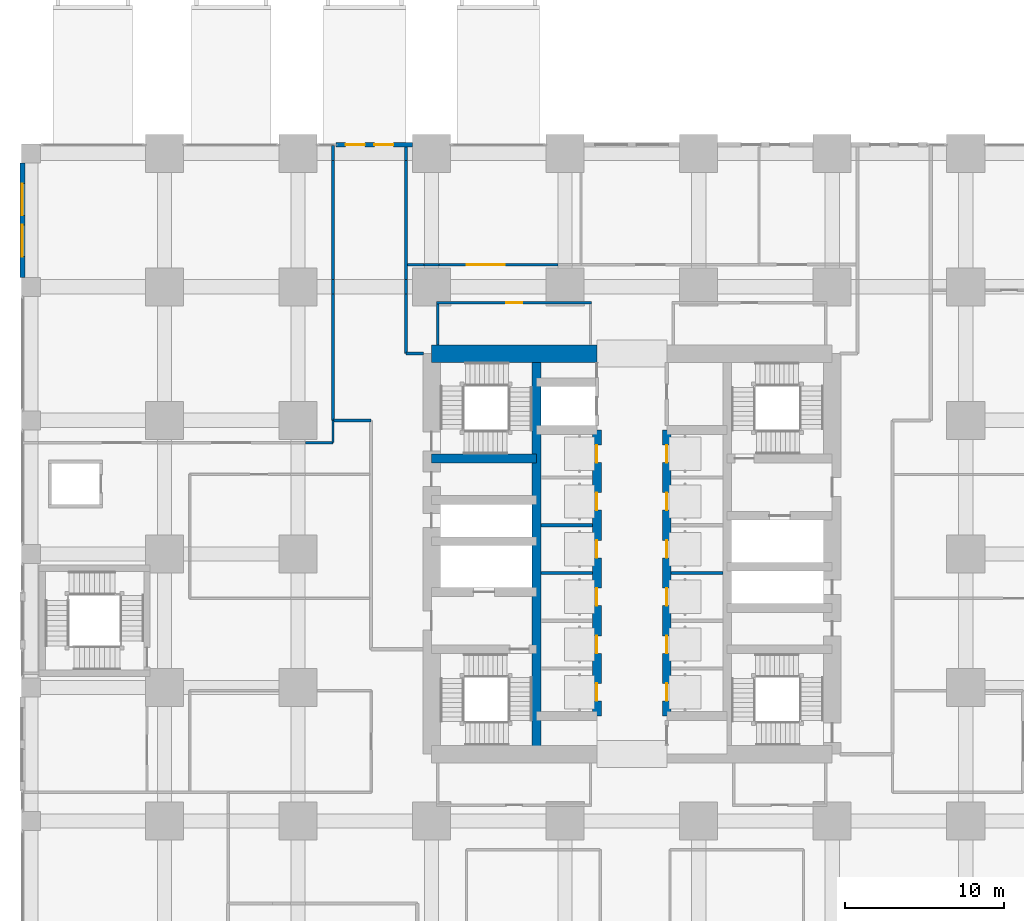
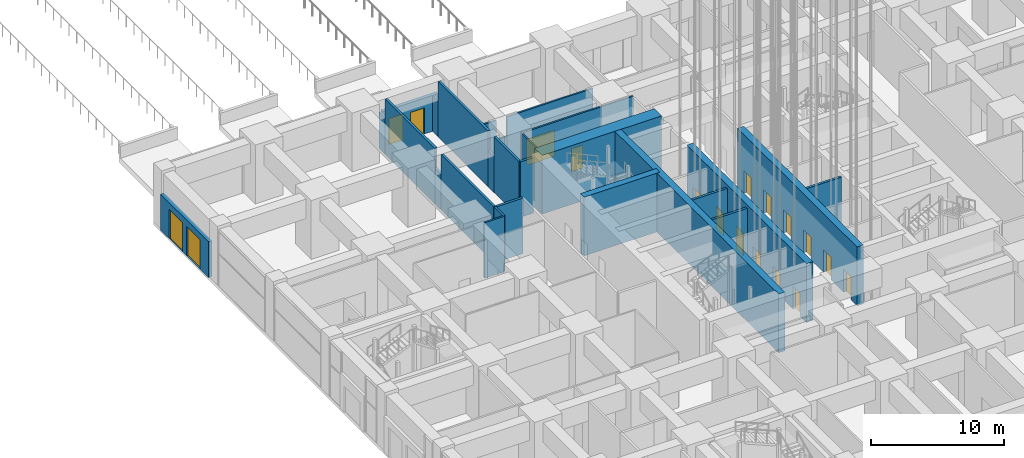
# One storey, part 40 of 81: 27 walls, 18 doors, 18 openings.
"""IFC4 building model written with IfcOpenShell, lengths in metres."""

from ifc_helpers import new_model, si_unit, direction, frame, frame_2d, origin, place, context, subcontext, project, spatial, rectangle, extrude, material, layer, layer_set, type_object, element, fill, save


model = new_model("IFC4")

# Units and contexts
model_context = context("Model", 3, precision=1e-05, world=origin(), true_north=direction((0.0, 1.0)))
body_context = subcontext(model_context, "Body", "Model", "MODEL_VIEW")
ifc_project = project(units=[si_unit("LENGTHUNIT", "METRE"), si_unit("AREAUNIT", "SQUARE_METRE"), si_unit("VOLUMEUNIT", "CUBIC_METRE"), si_unit("PLANEANGLEUNIT", "RADIAN"), si_unit("MASSUNIT", "GRAM", prefix="KILO")], contexts=[model_context])

# Site, building, storey
site_placement = place(None, origin())
site = spatial("IfcSite", under=ifc_project, at=site_placement, CompositionType="ELEMENT")
building_placement = place(site_placement, origin())
building = spatial("IfcBuilding", under=site, at=building_placement, Name="Rekha Terrace Tower", CompositionType="ELEMENT")
storey_placement = place(building_placement, origin())
storey = spatial("IfcBuildingStorey", under=building, at=storey_placement, Name="L00", CompositionType="ELEMENT", Elevation=0.0)

# Wall
ifc_material_1 = material(Name="Concrete M70", Category="concrete")
ifc_layer_1 = layer(ifc_material_1, 0.550048828125)
ifc_layer_set_1 = layer_set([ifc_layer_1], Name="Concrete M70")
wall_type_1 = type_object("IfcWallType", Name="CI1 550 core internal shear wall", PredefinedType="SHEAR", material=ifc_layer_set_1)
wall_1_placement = place(storey_placement, frame((31.800048828125, 21.0, 0.0), z_axis=(0.0, 0.0, 1.0), x_axis=(0.0, 1.0, 0.0)))
element("IfcWall", 1, at=wall_1_placement, inside=storey, type_object=wall_type_1, Name="Core wall X318 L00", PredefinedType="SHEAR", context=body_context, shape_type="SweptSolid", body=[
    extrude(rectangle(XDim=25.199951171875, YDim=0.550048828125, at=frame_2d((12.60009765625, 0.0))), origin(), (0.0, 0.0, 1.0), 5.39990234375),
])

# Wall, openings, doors
wall_2_placement = place(storey_placement, frame((35.60009765625, 23.39990234375, 0.0), z_axis=(0.0, 0.0, 1.0), x_axis=(0.0, 1.0, 0.0)))
wall_2 = element("IfcWall", 2, at=wall_2_placement, inside=storey, type_object=wall_type_1, Name="Core wall X356 L00", PredefinedType="SHEAR", context=body_context, shape_type="SweptSolid", body=[
    extrude(rectangle(XDim=18.0, YDim=0.550048828125, at=frame_2d((9.0, 0.0))), origin(), (0.0, 0.0, 1.0), 5.39990234375),
])
opening_1_placement = place(wall_2_placement, frame((0.949951171875, 0.0, 0.0)))
opening_1 = element("IfcOpeningElement", 3, at=opening_1_placement, cuts=wall_2, Name="Opening LD1", PredefinedType="OPENING", context=body_context, shape_type="SweptSolid", body=[
    extrude(rectangle(XDim=1.10009765625, YDim=2.10009765625, at=frame_2d((0.550048828125, 1.050048828125))), frame((0.0, 0.284912109375, 0.0), z_axis=(0.0, -1.0, 0.0), x_axis=(1.0, 0.0, 0.0)), (0.0, 0.0, 1.0), 0.570068359375),
])
opening_2_placement = place(wall_2_placement, frame((3.949951171875, 0.0, 0.0)))
opening_2 = element("IfcOpeningElement", 4, at=opening_2_placement, cuts=wall_2, Name="Opening LD1", PredefinedType="OPENING", context=body_context, shape_type="SweptSolid", body=[
    extrude(rectangle(XDim=1.10009765625, YDim=2.10009765625, at=frame_2d((0.550048828125, 1.050048828125))), frame((0.0, 0.284912109375, 0.0), z_axis=(0.0, -1.0, 0.0), x_axis=(1.0, 0.0, 0.0)), (0.0, 0.0, 1.0), 0.570068359375),
])
opening_3_placement = place(wall_2_placement, frame((6.949951171875, 0.0, 0.0)))
opening_3 = element("IfcOpeningElement", 5, at=opening_3_placement, cuts=wall_2, Name="Opening LD1", PredefinedType="OPENING", context=body_context, shape_type="SweptSolid", body=[
    extrude(rectangle(XDim=1.10009765625, YDim=2.10009765625, at=frame_2d((0.550048828125, 1.050048828125))), frame((0.0, 0.284912109375, 0.0), z_axis=(0.0, -1.0, 0.0), x_axis=(1.0, 0.0, 0.0)), (0.0, 0.0, 1.0), 0.570068359375),
])
opening_4_placement = place(wall_2_placement, frame((9.949951171875, 0.0, 0.0)))
opening_4 = element("IfcOpeningElement", 6, at=opening_4_placement, cuts=wall_2, Name="Opening LD1", PredefinedType="OPENING", context=body_context, shape_type="SweptSolid", body=[
    extrude(rectangle(XDim=1.10009765625, YDim=2.10009765625, at=frame_2d((0.550048828125, 1.050048828125))), frame((0.0, 0.284912109375, 0.0), z_axis=(0.0, -1.0, 0.0), x_axis=(1.0, 0.0, 0.0)), (0.0, 0.0, 1.0), 0.570068359375),
])
opening_5_placement = place(wall_2_placement, frame((12.949951171875, 0.0, 0.0)))
opening_5 = element("IfcOpeningElement", 7, at=opening_5_placement, cuts=wall_2, Name="Opening LD1", PredefinedType="OPENING", context=body_context, shape_type="SweptSolid", body=[
    extrude(rectangle(XDim=1.10009765625, YDim=2.10009765625, at=frame_2d((0.550048828125, 1.050048828125))), frame((0.0, 0.284912109375, 0.0), z_axis=(0.0, -1.0, 0.0), x_axis=(1.0, 0.0, 0.0)), (0.0, 0.0, 1.0), 0.570068359375),
])
opening_6_placement = place(wall_2_placement, frame((15.949951171875, 0.0, 0.0)))
opening_6 = element("IfcOpeningElement", 8, at=opening_6_placement, cuts=wall_2, Name="Opening LD1", PredefinedType="OPENING", context=body_context, shape_type="SweptSolid", body=[
    extrude(rectangle(XDim=1.10009765625, YDim=2.10009765625, at=frame_2d((0.550048828125, 1.050048828125))), frame((0.0, 0.284912109375, 0.0), z_axis=(0.0, -1.0, 0.0), x_axis=(1.0, 0.0, 0.0)), (0.0, 0.0, 1.0), 0.570068359375),
])
ifc_material_2 = material(Name="Stainless steel sliding landing door", Category="steel")
door_type_1 = type_object("IfcDoorType", Name="LD1 1100x2100 lift landing door", OperationType="SLIDING_TO_LEFT", PredefinedType="USERDEFINED", material=ifc_material_2)
door_1_placement = place(opening_1_placement, origin())
door_1 = element("IfcDoor", 9, at=door_1_placement, inside=storey, type_object=door_type_1, Name="Lift A1 landing door L00", ObjectType="LIFT LANDING DOOR", OperationType="SLIDING_TO_LEFT", OverallHeight=2.10009765625, OverallWidth=1.10009765625, PredefinedType="USERDEFINED", context=body_context, shape_type="SweptSolid", body=[
    extrude(rectangle(XDim=1.10009765625, YDim=2.10009765625, at=frame_2d((0.550048828125, 1.050048828125))), frame((0.0, 0.02490234375, 0.0), z_axis=(0.0, -1.0, 0.0), x_axis=(1.0, 0.0, 0.0)), (0.0, 0.0, 1.0), 0.050048828125),
])
fill(opening_1, door_1)
door_2_placement = place(opening_2_placement, origin())
door_2 = element("IfcDoor", 10, at=door_2_placement, inside=storey, type_object=door_type_1, Name="Lift A2 landing door L00", ObjectType="LIFT LANDING DOOR", OperationType="SLIDING_TO_LEFT", OverallHeight=2.10009765625, OverallWidth=1.10009765625, PredefinedType="USERDEFINED", context=body_context, shape_type="SweptSolid", body=[
    extrude(rectangle(XDim=1.10009765625, YDim=2.10009765625, at=frame_2d((0.550048828125, 1.050048828125))), frame((0.0, 0.02490234375, 0.0), z_axis=(0.0, -1.0, 0.0), x_axis=(1.0, 0.0, 0.0)), (0.0, 0.0, 1.0), 0.050048828125),
])
fill(opening_2, door_2)
door_3_placement = place(opening_3_placement, origin())
door_3 = element("IfcDoor", 11, at=door_3_placement, inside=storey, type_object=door_type_1, Name="Lift A3 landing door L00", ObjectType="LIFT LANDING DOOR", OperationType="SLIDING_TO_LEFT", OverallHeight=2.10009765625, OverallWidth=1.10009765625, PredefinedType="USERDEFINED", context=body_context, shape_type="SweptSolid", body=[
    extrude(rectangle(XDim=1.10009765625, YDim=2.10009765625, at=frame_2d((0.550048828125, 1.050048828125))), frame((0.0, 0.02490234375, 0.0), z_axis=(0.0, -1.0, 0.0), x_axis=(1.0, 0.0, 0.0)), (0.0, 0.0, 1.0), 0.050048828125),
])
fill(opening_3, door_3)
door_4_placement = place(opening_4_placement, origin())
door_4 = element("IfcDoor", 12, at=door_4_placement, inside=storey, type_object=door_type_1, Name="Lift A4 landing door L00", ObjectType="LIFT LANDING DOOR", OperationType="SLIDING_TO_LEFT", OverallHeight=2.10009765625, OverallWidth=1.10009765625, PredefinedType="USERDEFINED", context=body_context, shape_type="SweptSolid", body=[
    extrude(rectangle(XDim=1.10009765625, YDim=2.10009765625, at=frame_2d((0.550048828125, 1.050048828125))), frame((0.0, 0.02490234375, 0.0), z_axis=(0.0, -1.0, 0.0), x_axis=(1.0, 0.0, 0.0)), (0.0, 0.0, 1.0), 0.050048828125),
])
fill(opening_4, door_4)
door_5_placement = place(opening_5_placement, origin())
door_5 = element("IfcDoor", 13, at=door_5_placement, inside=storey, type_object=door_type_1, Name="Lift A5 landing door L00", ObjectType="LIFT LANDING DOOR", OperationType="SLIDING_TO_LEFT", OverallHeight=2.10009765625, OverallWidth=1.10009765625, PredefinedType="USERDEFINED", context=body_context, shape_type="SweptSolid", body=[
    extrude(rectangle(XDim=1.10009765625, YDim=2.10009765625, at=frame_2d((0.550048828125, 1.050048828125))), frame((0.0, 0.02490234375, 0.0), z_axis=(0.0, -1.0, 0.0), x_axis=(1.0, 0.0, 0.0)), (0.0, 0.0, 1.0), 0.050048828125),
])
fill(opening_5, door_5)
door_6_placement = place(opening_6_placement, origin())
door_6 = element("IfcDoor", 14, at=door_6_placement, inside=storey, type_object=door_type_1, Name="Lift A6 landing door L00", ObjectType="LIFT LANDING DOOR", OperationType="SLIDING_TO_LEFT", OverallHeight=2.10009765625, OverallWidth=1.10009765625, PredefinedType="USERDEFINED", context=body_context, shape_type="SweptSolid", body=[
    extrude(rectangle(XDim=1.10009765625, YDim=2.10009765625, at=frame_2d((0.550048828125, 1.050048828125))), frame((0.0, 0.02490234375, 0.0), z_axis=(0.0, -1.0, 0.0), x_axis=(1.0, 0.0, 0.0)), (0.0, 0.0, 1.0), 0.050048828125),
])
fill(opening_6, door_6)

wall_3_placement = place(storey_placement, frame((40.0, 23.39990234375, 0.0), z_axis=(0.0, 0.0, 1.0), x_axis=(0.0, 1.0, 0.0)))
wall_3 = element("IfcWall", 15, at=wall_3_placement, inside=storey, type_object=wall_type_1, Name="Core wall X400 L00", PredefinedType="SHEAR", context=body_context, shape_type="SweptSolid", body=[
    extrude(rectangle(XDim=18.0, YDim=0.550048828125, at=frame_2d((9.0, 0.0))), origin(), (0.0, 0.0, 1.0), 5.39990234375),
])
opening_7_placement = place(wall_3_placement, frame((0.949951171875, 0.0, 0.0)))
opening_7 = element("IfcOpeningElement", 16, at=opening_7_placement, cuts=wall_3, Name="Opening LD1", PredefinedType="OPENING", context=body_context, shape_type="SweptSolid", body=[
    extrude(rectangle(XDim=1.10009765625, YDim=2.10009765625, at=frame_2d((0.550048828125, 1.050048828125))), frame((0.0, 0.284912109375, 0.0), z_axis=(0.0, -1.0, 0.0), x_axis=(1.0, 0.0, 0.0)), (0.0, 0.0, 1.0), 0.570068359375),
])
opening_8_placement = place(wall_3_placement, frame((3.949951171875, 0.0, 0.0)))
opening_8 = element("IfcOpeningElement", 17, at=opening_8_placement, cuts=wall_3, Name="Opening LD1", PredefinedType="OPENING", context=body_context, shape_type="SweptSolid", body=[
    extrude(rectangle(XDim=1.10009765625, YDim=2.10009765625, at=frame_2d((0.550048828125, 1.050048828125))), frame((0.0, 0.284912109375, 0.0), z_axis=(0.0, -1.0, 0.0), x_axis=(1.0, 0.0, 0.0)), (0.0, 0.0, 1.0), 0.570068359375),
])
opening_9_placement = place(wall_3_placement, frame((6.949951171875, 0.0, 0.0)))
opening_9 = element("IfcOpeningElement", 18, at=opening_9_placement, cuts=wall_3, Name="Opening LD1", PredefinedType="OPENING", context=body_context, shape_type="SweptSolid", body=[
    extrude(rectangle(XDim=1.10009765625, YDim=2.10009765625, at=frame_2d((0.550048828125, 1.050048828125))), frame((0.0, 0.284912109375, 0.0), z_axis=(0.0, -1.0, 0.0), x_axis=(1.0, 0.0, 0.0)), (0.0, 0.0, 1.0), 0.570068359375),
])
opening_10_placement = place(wall_3_placement, frame((9.949951171875, 0.0, 0.0)))
opening_10 = element("IfcOpeningElement", 19, at=opening_10_placement, cuts=wall_3, Name="Opening LD1", PredefinedType="OPENING", context=body_context, shape_type="SweptSolid", body=[
    extrude(rectangle(XDim=1.10009765625, YDim=2.10009765625, at=frame_2d((0.550048828125, 1.050048828125))), frame((0.0, 0.284912109375, 0.0), z_axis=(0.0, -1.0, 0.0), x_axis=(1.0, 0.0, 0.0)), (0.0, 0.0, 1.0), 0.570068359375),
])
opening_11_placement = place(wall_3_placement, frame((12.949951171875, 0.0, 0.0)))
opening_11 = element("IfcOpeningElement", 20, at=opening_11_placement, cuts=wall_3, Name="Opening LD1", PredefinedType="OPENING", context=body_context, shape_type="SweptSolid", body=[
    extrude(rectangle(XDim=1.10009765625, YDim=2.10009765625, at=frame_2d((0.550048828125, 1.050048828125))), frame((0.0, 0.284912109375, 0.0), z_axis=(0.0, -1.0, 0.0), x_axis=(1.0, 0.0, 0.0)), (0.0, 0.0, 1.0), 0.570068359375),
])
opening_12_placement = place(wall_3_placement, frame((15.949951171875, 0.0, 0.0)))
opening_12 = element("IfcOpeningElement", 21, at=opening_12_placement, cuts=wall_3, Name="Opening LD1", PredefinedType="OPENING", context=body_context, shape_type="SweptSolid", body=[
    extrude(rectangle(XDim=1.10009765625, YDim=2.10009765625, at=frame_2d((0.550048828125, 1.050048828125))), frame((0.0, 0.284912109375, 0.0), z_axis=(0.0, -1.0, 0.0), x_axis=(1.0, 0.0, 0.0)), (0.0, 0.0, 1.0), 0.570068359375),
])
door_7_placement = place(opening_7_placement, origin())
door_7 = element("IfcDoor", 22, at=door_7_placement, inside=storey, type_object=door_type_1, Name="Lift SH1 landing door L00", ObjectType="LIFT LANDING DOOR", OperationType="SLIDING_TO_LEFT", OverallHeight=2.10009765625, OverallWidth=1.10009765625, PredefinedType="USERDEFINED", context=body_context, shape_type="SweptSolid", body=[
    extrude(rectangle(XDim=1.10009765625, YDim=2.10009765625, at=frame_2d((0.550048828125, 1.050048828125))), frame((0.0, 0.02490234375, 0.0), z_axis=(0.0, -1.0, 0.0), x_axis=(1.0, 0.0, 0.0)), (0.0, 0.0, 1.0), 0.050048828125),
])
fill(opening_7, door_7)
door_8_placement = place(opening_8_placement, origin())
door_8 = element("IfcDoor", 23, at=door_8_placement, inside=storey, type_object=door_type_1, Name="Lift SH2 landing door L00", ObjectType="LIFT LANDING DOOR", OperationType="SLIDING_TO_LEFT", OverallHeight=2.10009765625, OverallWidth=1.10009765625, PredefinedType="USERDEFINED", context=body_context, shape_type="SweptSolid", body=[
    extrude(rectangle(XDim=1.10009765625, YDim=2.10009765625, at=frame_2d((0.550048828125, 1.050048828125))), frame((0.0, 0.02490234375, 0.0), z_axis=(0.0, -1.0, 0.0), x_axis=(1.0, 0.0, 0.0)), (0.0, 0.0, 1.0), 0.050048828125),
])
fill(opening_8, door_8)
door_9_placement = place(opening_9_placement, origin())
door_9 = element("IfcDoor", 24, at=door_9_placement, inside=storey, type_object=door_type_1, Name="Lift SH3 landing door L00", ObjectType="LIFT LANDING DOOR", OperationType="SLIDING_TO_LEFT", OverallHeight=2.10009765625, OverallWidth=1.10009765625, PredefinedType="USERDEFINED", context=body_context, shape_type="SweptSolid", body=[
    extrude(rectangle(XDim=1.10009765625, YDim=2.10009765625, at=frame_2d((0.550048828125, 1.050048828125))), frame((0.0, 0.02490234375, 0.0), z_axis=(0.0, -1.0, 0.0), x_axis=(1.0, 0.0, 0.0)), (0.0, 0.0, 1.0), 0.050048828125),
])
fill(opening_9, door_9)
door_10_placement = place(opening_10_placement, origin())
door_10 = element("IfcDoor", 25, at=door_10_placement, inside=storey, type_object=door_type_1, Name="Lift SH4 landing door L00", ObjectType="LIFT LANDING DOOR", OperationType="SLIDING_TO_LEFT", OverallHeight=2.10009765625, OverallWidth=1.10009765625, PredefinedType="USERDEFINED", context=body_context, shape_type="SweptSolid", body=[
    extrude(rectangle(XDim=1.10009765625, YDim=2.10009765625, at=frame_2d((0.550048828125, 1.050048828125))), frame((0.0, 0.02490234375, 0.0), z_axis=(0.0, -1.0, 0.0), x_axis=(1.0, 0.0, 0.0)), (0.0, 0.0, 1.0), 0.050048828125),
])
fill(opening_10, door_10)
door_11_placement = place(opening_11_placement, origin())
door_11 = element("IfcDoor", 26, at=door_11_placement, inside=storey, type_object=door_type_1, Name="Lift SH5 landing door L00", ObjectType="LIFT LANDING DOOR", OperationType="SLIDING_TO_LEFT", OverallHeight=2.10009765625, OverallWidth=1.10009765625, PredefinedType="USERDEFINED", context=body_context, shape_type="SweptSolid", body=[
    extrude(rectangle(XDim=1.10009765625, YDim=2.10009765625, at=frame_2d((0.550048828125, 1.050048828125))), frame((0.0, 0.02490234375, 0.0), z_axis=(0.0, -1.0, 0.0), x_axis=(1.0, 0.0, 0.0)), (0.0, 0.0, 1.0), 0.050048828125),
])
fill(opening_11, door_11)
door_12_placement = place(opening_12_placement, origin())
door_12 = element("IfcDoor", 27, at=door_12_placement, inside=storey, type_object=door_type_1, Name="Lift SH6 landing door L00", ObjectType="LIFT LANDING DOOR", OperationType="SLIDING_TO_LEFT", OverallHeight=2.10009765625, OverallWidth=1.10009765625, PredefinedType="USERDEFINED", context=body_context, shape_type="SweptSolid", body=[
    extrude(rectangle(XDim=1.10009765625, YDim=2.10009765625, at=frame_2d((0.550048828125, 1.050048828125))), frame((0.0, 0.02490234375, 0.0), z_axis=(0.0, -1.0, 0.0), x_axis=(1.0, 0.0, 0.0)), (0.0, 0.0, 1.0), 0.050048828125),
])
fill(opening_12, door_12)

# Wall
wall_4_placement = place(storey_placement, frame((25.199951171875, 39.60009765625, 0.0), z_axis=(0.0, 0.0, 1.0), x_axis=(1.0, 0.0, 0.0)))
element("IfcWall", 28, at=wall_4_placement, inside=storey, type_object=wall_type_1, Name="Core wall Y396W L00", PredefinedType="SHEAR", context=body_context, shape_type="SweptSolid", body=[
    extrude(rectangle(XDim=6.60009765625, YDim=0.550048828125, at=frame_2d((3.300048828125, 0.0))), origin(), (0.0, 0.0, 1.0), 5.39990234375),
])

# Wall, openings, doors
ifc_material_3 = material(Name="Concrete M40", Category="concrete")
ifc_layer_2 = layer(ifc_material_3, 0.300048828125)
ifc_layer_set_2 = layer_set([ifc_layer_2], Name="Concrete M40")
wall_type_2 = type_object("IfcWallType", Name="EW2 glazed entrance screen wall 300", PredefinedType="SOLIDWALL", material=ifc_layer_set_2)
wall_5_placement = place(storey_placement, frame((19.199951171875, 59.340087890625, 0.0), z_axis=(0.0, 0.0, 1.0), x_axis=(1.0, 0.0, 0.0)))
wall_5 = element("IfcWall", 29, at=wall_5_placement, inside=storey, type_object=wall_type_2, Name="Entrance screen wall", PredefinedType="SOLIDWALL", context=body_context, shape_type="SweptSolid", body=[
    extrude(rectangle(XDim=4.799072265625, YDim=0.300048828125, at=frame_2d((2.3994140625, 0.0))), origin(), (0.0, 0.0, 1.0), 3.300048828125),
])
opening_13_placement = place(wall_5_placement, frame((2.39990234375, 0.0, 0.0)))
opening_13 = element("IfcOpeningElement", 30, at=opening_13_placement, cuts=wall_5, Name="Opening ED3", PredefinedType="OPENING", context=body_context, shape_type="SweptSolid", body=[
    extrude(rectangle(XDim=1.199951171875, YDim=2.39990234375, at=frame_2d((0.60009765625, 1.199951171875))), frame((0.0, 0.159912109375, 0.0), z_axis=(0.0, -1.0, 0.0), x_axis=(1.0, 0.0, 0.0)), (0.0, 0.0, 1.0), 0.320068359375),
])
opening_14_placement = place(wall_5_placement, frame((0.60009765625, 0.0, 0.0)))
opening_14 = element("IfcOpeningElement", 31, at=opening_14_placement, cuts=wall_5, Name="Opening ED3", PredefinedType="OPENING", context=body_context, shape_type="SweptSolid", body=[
    extrude(rectangle(XDim=1.199951171875, YDim=2.39990234375, at=frame_2d((0.60009765625, 1.199951171875))), frame((0.0, 0.159912109375, 0.0), z_axis=(0.0, -1.0, 0.0), x_axis=(1.0, 0.0, 0.0)), (0.0, 0.0, 1.0), 0.320068359375),
])
ifc_material_4 = material(Name="Galvanised steel door", Category="steel")
door_type_2 = type_object("IfcDoorType", Name="ED3 steel exit door 1200 x 2400", OperationType="SINGLE_SWING_LEFT", PredefinedType="DOOR", material=ifc_material_4)
door_13_placement = place(opening_13_placement, origin())
door_13 = element("IfcDoor", 32, at=door_13_placement, inside=storey, type_object=door_type_2, Name="Exit door", OperationType="SINGLE_SWING_LEFT", OverallHeight=2.39990234375, OverallWidth=1.199951171875, PredefinedType="DOOR", context=body_context, shape_type="SweptSolid", body=[
    extrude(rectangle(XDim=1.199951171875, YDim=2.39990234375, at=frame_2d((0.60009765625, 1.199951171875))), frame((0.0, 0.02490234375, 0.0), z_axis=(0.0, -1.0, 0.0), x_axis=(1.0, 0.0, 0.0)), (0.0, 0.0, 1.0), 0.050048828125),
])
fill(opening_13, door_13)
door_14_placement = place(opening_14_placement, origin())
door_14 = element("IfcDoor", 33, at=door_14_placement, inside=storey, type_object=door_type_2, Name="Exit door", OperationType="SINGLE_SWING_LEFT", OverallHeight=2.39990234375, OverallWidth=1.199951171875, PredefinedType="DOOR", context=body_context, shape_type="SweptSolid", body=[
    extrude(rectangle(XDim=1.199951171875, YDim=2.39990234375, at=frame_2d((0.60009765625, 1.199951171875))), frame((0.0, 0.02490234375, 0.0), z_axis=(0.0, -1.0, 0.0), x_axis=(1.0, 0.0, 0.0)), (0.0, 0.0, 1.0), 0.050048828125),
])
fill(opening_14, door_14)

wall_6_placement = place(storey_placement, frame((-0.5400390625, 51.0009765625, 0.0), z_axis=(0.0, 0.0, 1.0), x_axis=(0.0, 1.0, 0.0)))
wall_6 = element("IfcWall", 34, at=wall_6_placement, inside=storey, type_object=wall_type_2, Name="Entrance screen wall", PredefinedType="SOLIDWALL", context=body_context, shape_type="SweptSolid", body=[
    extrude(rectangle(XDim=7.197998046875, YDim=0.300048828125, at=frame_2d((3.59912109375, 0.0))), origin(), (0.0, 0.0, 1.0), 3.300048828125),
])
opening_15_placement = place(wall_6_placement, frame((3.89892578125, 0.0, 0.0)))
opening_15 = element("IfcOpeningElement", 35, at=opening_15_placement, cuts=wall_6, Name="Opening ED1", PredefinedType="OPENING", context=body_context, shape_type="SweptSolid", body=[
    extrude(rectangle(XDim=2.0, YDim=2.699951171875, at=frame_2d((1.0, 1.35009765625))), frame((0.0, 0.159912109375, 0.0), z_axis=(0.0, -1.0, 0.0), x_axis=(1.0, 0.0, 0.0)), (0.0, 0.0, 1.0), 0.320068359375),
])
opening_16_placement = place(wall_6_placement, frame((1.299072265625, 0.0, 0.0)))
opening_16 = element("IfcOpeningElement", 36, at=opening_16_placement, cuts=wall_6, Name="Opening ED1", PredefinedType="OPENING", context=body_context, shape_type="SweptSolid", body=[
    extrude(rectangle(XDim=2.0, YDim=2.699951171875, at=frame_2d((1.0, 1.35009765625))), frame((0.0, 0.159912109375, 0.0), z_axis=(0.0, -1.0, 0.0), x_axis=(1.0, 0.0, 0.0)), (0.0, 0.0, 1.0), 0.320068359375),
])
ifc_material_5 = material(Name="Aluminium framed laminated glass door", Category="aluminium")
door_type_3 = type_object("IfcDoorType", Name="ED1 glazed double entrance door 2000 x 2700", OperationType="DOUBLE_DOOR_SINGLE_SWING", PredefinedType="DOOR", material=ifc_material_5)
door_15_placement = place(opening_15_placement, origin())
door_15 = element("IfcDoor", 37, at=door_15_placement, inside=storey, type_object=door_type_3, Name="Entrance door", OperationType="DOUBLE_DOOR_SINGLE_SWING", OverallHeight=2.699951171875, OverallWidth=2.0, PredefinedType="DOOR", context=body_context, shape_type="SweptSolid", body=[
    extrude(rectangle(XDim=2.0, YDim=2.699951171875, at=frame_2d((1.0, 1.35009765625))), frame((0.0, 0.02490234375, 0.0), z_axis=(0.0, -1.0, 0.0), x_axis=(1.0, 0.0, 0.0)), (0.0, 0.0, 1.0), 0.050048828125),
])
fill(opening_15, door_15)
door_16_placement = place(opening_16_placement, origin())
door_16 = element("IfcDoor", 38, at=door_16_placement, inside=storey, type_object=door_type_3, Name="Entrance door", OperationType="DOUBLE_DOOR_SINGLE_SWING", OverallHeight=2.699951171875, OverallWidth=2.0, PredefinedType="DOOR", context=body_context, shape_type="SweptSolid", body=[
    extrude(rectangle(XDim=2.0, YDim=2.699951171875, at=frame_2d((1.0, 1.35009765625))), frame((0.0, 0.02490234375, 0.0), z_axis=(0.0, -1.0, 0.0), x_axis=(1.0, 0.0, 0.0)), (0.0, 0.0, 1.0), 0.050048828125),
])
fill(opening_16, door_16)

# Wall
ifc_layer_3 = layer(ifc_material_1, 1.10009765625)
ifc_layer_set_3 = layer_set([ifc_layer_3], Name="Concrete M70")
wall_type_3 = type_object("IfcWallType", Name="SW1 1100 core outer shear wall", PredefinedType="SHEAR", material=ifc_layer_set_3)
wall_7_placement = place(storey_placement, frame((25.199951171875, 46.199951171875, 0.0), z_axis=(0.0, 0.0, 1.0), x_axis=(1.0, 0.0, 0.0)))
element("IfcWall", 39, at=wall_7_placement, inside=storey, type_object=wall_type_3, Name="Core wall N1 L00", PredefinedType="SHEAR", context=body_context, shape_type="SweptSolid", body=[
    extrude(rectangle(XDim=10.400146484375, YDim=1.10009765625, at=frame_2d((5.2001953125, 0.0))), origin(), (0.0, 0.0, 1.0), 5.39990234375),
])

# Wall, opening, door
ifc_material_6 = material(Name="Concrete block masonry, 1 hour", Category="masonry")
ifc_layer_4 = layer(ifc_material_6, 0.14990234375)
ifc_layer_set_4 = layer_set([ifc_layer_4], Name="Concrete block masonry, 1 hour")
wall_type_4 = type_object("IfcWallType", Name="WP2 150 tenancy partition", PredefinedType="PARTITIONING", material=ifc_layer_set_4)
wall_8_placement = place(storey_placement, frame((25.52490234375, 49.39990234375, 0.0), z_axis=(0.0, 0.0, 1.0), x_axis=(1.0, 0.0, 0.0)))
wall_8 = element("IfcWall", 40, at=wall_8_placement, inside=storey, type_object=wall_type_4, Name="Women's WC wall L00", PredefinedType="PARTITIONING", context=body_context, shape_type="SweptSolid", body=[
    extrude(rectangle(XDim=9.75, YDim=0.14990234375, at=frame_2d((4.875, 0.0))), origin(), (0.0, 0.0, 1.0), 5.10009765625),
])
opening_17_placement = place(wall_8_placement, frame((4.375, 0.0, 0.0)))
opening_17 = element("IfcOpeningElement", 41, at=opening_17_placement, cuts=wall_8, Name="Opening D3", PredefinedType="OPENING", context=body_context, shape_type="SweptSolid", body=[
    extrude(rectangle(XDim=1.0, YDim=2.10009765625, at=frame_2d((0.5, 1.050048828125))), frame((0.0, 0.0849609375, 0.0), z_axis=(0.0, -1.0, 0.0), x_axis=(1.0, 0.0, 0.0)), (0.0, 0.0, 1.0), 0.169921875),
])
ifc_material_7 = material(Name="Laminated timber fire door", Category="wood")
door_type_4 = type_object("IfcDoorType", Name="D3 1000x2100 WC door", OperationType="SINGLE_SWING_LEFT", PredefinedType="DOOR", material=ifc_material_7)
door_17_placement = place(opening_17_placement, origin())
door_17 = element("IfcDoor", 42, at=door_17_placement, inside=storey, type_object=door_type_4, Name="Door women's wc L00", OperationType="SINGLE_SWING_LEFT", OverallHeight=2.10009765625, OverallWidth=1.0, PredefinedType="DOOR", context=body_context, shape_type="SweptSolid", body=[
    extrude(rectangle(XDim=1.0, YDim=2.10009765625, at=frame_2d((0.5, 1.050048828125))), frame((0.0, 0.02490234375, 0.0), z_axis=(0.0, -1.0, 0.0), x_axis=(1.0, 0.0, 0.0)), (0.0, 0.0, 1.0), 0.050048828125),
])
fill(opening_17, door_17)

# Walls
wall_9_placement = place(storey_placement, frame((25.60009765625, 46.75, 0.0), z_axis=(0.0, 0.0, 1.0), x_axis=(0.0, 1.0, 0.0)))
element("IfcWall", 43, at=wall_9_placement, inside=storey, type_object=wall_type_4, Name="Women's WC wall L00", PredefinedType="PARTITIONING", context=body_context, shape_type="SweptSolid", body=[
    extrude(rectangle(XDim=2.574951171875, YDim=0.14990234375, at=frame_2d((1.28759765625, 0.0))), origin(), (0.0, 0.0, 1.0), 5.10009765625),
])
wall_10_placement = place(storey_placement, frame((19.0, 42.0, 0.0), z_axis=(0.0, 0.0, 1.0), x_axis=(0.0, -1.0, 0.0)))
element("IfcWall", 44, at=wall_10_placement, inside=storey, type_object=wall_type_4, Name="Partition L00-04", PredefinedType="PARTITIONING", context=body_context, shape_type="SweptSolid", body=[
    extrude(rectangle(XDim=1.39990234375, YDim=0.14990234375, at=frame_2d((0.699951171875, 0.0))), origin(), (0.0, 0.0, 1.0), 5.10009765625),
])
wall_11_placement = place(storey_placement, frame((19.0, 40.60009765625, 0.0), z_axis=(0.0, 0.0, 1.0), x_axis=(-1.0, 0.0, 0.0)))
element("IfcWall", 45, at=wall_11_placement, inside=storey, type_object=wall_type_4, Name="Partition L00-04", PredefinedType="PARTITIONING", context=body_context, shape_type="SweptSolid", body=[
    extrude(rectangle(XDim=1.739990234375, YDim=0.14990234375, at=frame_2d((0.8701171875, 0.0))), origin(), (0.0, 0.0, 1.0), 5.10009765625),
])

# Wall, opening, door
wall_12_placement = place(storey_placement, frame((33.139892578125, 51.800048828125, 0.0), z_axis=(0.0, 0.0, 1.0), x_axis=(-1.0, 0.0, 0.0)))
wall_12 = element("IfcWall", 46, at=wall_12_placement, inside=storey, type_object=wall_type_4, Name="Partition L00-14", PredefinedType="PARTITIONING", context=body_context, shape_type="SweptSolid", body=[
    extrude(rectangle(XDim=7.47998046875, YDim=0.14990234375, at=frame_2d((3.739990234375, 0.0))), origin(), (0.0, 0.0, 1.0), 5.10009765625),
])
opening_18_placement = place(wall_12_placement, frame((3.340087890625, 0.0, 0.0)))
opening_18 = element("IfcOpeningElement", 47, at=opening_18_placement, cuts=wall_12, Name="Opening D7", PredefinedType="OPENING", context=body_context, shape_type="SweptSolid", body=[
    extrude(rectangle(XDim=2.39990234375, YDim=2.39990234375, at=frame_2d((1.199951171875, 1.199951171875))), frame((0.0, 0.0849609375, 0.0), z_axis=(0.0, -1.0, 0.0), x_axis=(1.0, 0.0, 0.0)), (0.0, 0.0, 1.0), 0.169921875),
])
ifc_material_8 = material(Name="Glazed aluminium door", Category="aluminium")
door_type_5 = type_object("IfcDoorType", Name="D7 2400x2400 shopfront double door", OperationType="DOUBLE_DOOR_SINGLE_SWING", PredefinedType="DOOR", material=ifc_material_8)
door_18_placement = place(opening_18_placement, origin())
door_18 = element("IfcDoor", 48, at=door_18_placement, inside=storey, type_object=door_type_5, Name="Door retail unit 20 L00", OperationType="DOUBLE_DOOR_SINGLE_SWING", OverallHeight=2.39990234375, OverallWidth=2.39990234375, PredefinedType="DOOR", context=body_context, shape_type="SweptSolid", body=[
    extrude(rectangle(XDim=2.39990234375, YDim=2.39990234375, at=frame_2d((1.199951171875, 1.199951171875))), frame((0.0, 0.02490234375, 0.0), z_axis=(0.0, -1.0, 0.0), x_axis=(1.0, 0.0, 0.0)), (0.0, 0.0, 1.0), 0.050048828125),
])
fill(opening_18, door_18)

# Walls
wall_13_placement = place(storey_placement, frame((25.659912109375, 51.800048828125, 0.0), z_axis=(0.0, 0.0, 1.0), x_axis=(-1.0, 0.0, 0.0)))
element("IfcWall", 49, at=wall_13_placement, inside=storey, type_object=wall_type_4, Name="Partition L00-14", PredefinedType="PARTITIONING", context=body_context, shape_type="SweptSolid", body=[
    extrude(rectangle(XDim=0.919921875, YDim=0.14990234375, at=frame_2d((0.4599609375, 0.0))), origin(), (0.0, 0.0, 1.0), 3.300048828125),
])
wall_14_placement = place(storey_placement, frame((24.739990234375, 51.800048828125, 0.0), z_axis=(0.0, 0.0, 1.0), x_axis=(-1.0, 0.0, 0.0)))
element("IfcWall", 50, at=wall_14_placement, inside=storey, type_object=wall_type_4, Name="Partition L00-14", PredefinedType="PARTITIONING", context=body_context, shape_type="SweptSolid", body=[
    extrude(rectangle(XDim=1.0400390625, YDim=0.14990234375, at=frame_2d((0.52001953125, 0.0))), origin(), (0.0, 0.0, 1.0), 5.10009765625),
])
ifc_material_9 = material(Name="Solid concrete block masonry, 2 hour", Category="masonry")
ifc_layer_5 = layer(ifc_material_9, 0.199951171875)
ifc_layer_set_5 = layer_set([ifc_layer_5], Name="Solid concrete block masonry, 2 hour")
wall_type_5 = type_object("IfcWallType", Name="WS1 200 stair and shaft enclosure", PredefinedType="PARTITIONING", material=ifc_layer_set_5)
for number, where, z_axis, x_axis, name in (
    (51, (32.074951171875, 32.39990234375, 0.0), (0.0, 0.0, 1.0), (1.0, 0.0, 0.0), "Lift shaft divider L00"),
    (52, (32.074951171875, 35.39990234375, 0.0), (0.0, 0.0, 1.0), (1.0, 0.0, 0.0), "Lift shaft divider L00"),
    (53, (40.27490234375, 32.39990234375, 0.0), (0.0, 0.0, 1.0), (1.0, 0.0, 0.0), "Lift shaft divider L00"),
):
    element("IfcWall", number, at=place(storey_placement, frame(where, z_axis=z_axis, x_axis=x_axis)), inside=storey, type_object=wall_type_5, Name=name, PredefinedType="PARTITIONING", context=body_context, shape_type="SweptSolid", body=[
        extrude(rectangle(XDim=3.25, YDim=0.199951171875, at=frame_2d((1.625, 0.0))), origin(), (0.0, 0.0, 1.0), 5.10009765625),
    ])
wall_15_placement = place(storey_placement, frame((23.60009765625, 46.199951171875, 0.0), z_axis=(0.0, 0.0, 1.0), x_axis=(1.0, 0.0, 0.0)))
element("IfcWall", 54, at=wall_15_placement, inside=storey, type_object=wall_type_5, Name="Partition L00-EP1", PredefinedType="PARTITIONING", context=body_context, shape_type="SweptSolid", body=[
    extrude(rectangle(XDim=1.099853515625, YDim=0.199951171875, at=frame_2d((0.5498046875, 0.0))), origin(), (0.0, 0.0, 1.0), 5.10009765625),
])
wall_16_placement = place(storey_placement, frame((21.39990234375, 42.0, 0.0), z_axis=(0.0, 0.0, 1.0), x_axis=(-1.0, 0.0, 0.0)))
element("IfcWall", 55, at=wall_16_placement, inside=storey, type_object=wall_type_5, Name="Partition L00-EP1", PredefinedType="PARTITIONING", context=body_context, shape_type="SweptSolid", body=[
    extrude(rectangle(XDim=2.39990234375, YDim=0.199951171875, at=frame_2d((1.199951171875, 0.0))), origin(), (0.0, 0.0, 1.0), 5.10009765625),
])
wall_17_placement = place(storey_placement, frame((19.0, 42.0, 0.0), z_axis=(0.0, 0.0, 1.0), x_axis=(0.0, 1.0, 0.0)))
element("IfcWall", 56, at=wall_17_placement, inside=storey, type_object=wall_type_5, Name="Partition L00-EP1", PredefinedType="PARTITIONING", context=body_context, shape_type="SweptSolid", body=[
    extrude(rectangle(XDim=7.93994140625, YDim=0.199951171875, at=frame_2d((3.969970703125, 0.0))), origin(), (0.0, 0.0, 1.0), 5.10009765625),
])
wall_18_placement = place(storey_placement, frame((19.0, 49.93994140625, 0.0), z_axis=(0.0, 0.0, 1.0), x_axis=(0.0, 1.0, 0.0)))
element("IfcWall", 57, at=wall_18_placement, inside=storey, type_object=wall_type_5, Name="Partition L00-EP1", PredefinedType="PARTITIONING", context=body_context, shape_type="SweptSolid", body=[
    extrude(rectangle(XDim=0.920166015625, YDim=0.199951171875, at=frame_2d((0.4599609375, 0.0))), origin(), (0.0, 0.0, 1.0), 3.300048828125),
])
wall_19_placement = place(storey_placement, frame((19.0, 50.860107421875, 0.0), z_axis=(0.0, 0.0, 1.0), x_axis=(0.0, 1.0, 0.0)))
element("IfcWall", 58, at=wall_19_placement, inside=storey, type_object=wall_type_5, Name="Partition L00-EP1", PredefinedType="PARTITIONING", context=body_context, shape_type="SweptSolid", body=[
    extrude(rectangle(XDim=7.47998046875, YDim=0.199951171875, at=frame_2d((3.739990234375, 0.0))), origin(), (0.0, 0.0, 1.0), 5.10009765625),
])
wall_20_placement = place(storey_placement, frame((19.0, 58.340087890625, 0.0), z_axis=(0.0, 0.0, 1.0), x_axis=(0.0, 1.0, 0.0)))
element("IfcWall", 59, at=wall_20_placement, inside=storey, type_object=wall_type_5, Name="Partition L00-EP1", PredefinedType="PARTITIONING", context=body_context, shape_type="SweptSolid", body=[
    extrude(rectangle(XDim=0.949951171875, YDim=0.199951171875, at=frame_2d((0.47509765625, 0.0))), origin(), (0.0, 0.0, 1.0), 3.300048828125),
])
wall_21_placement = place(storey_placement, frame((23.60009765625, 59.18994140625, 0.0), z_axis=(0.0, 0.0, 1.0), x_axis=(0.0, -1.0, 0.0)))
element("IfcWall", 60, at=wall_21_placement, inside=storey, type_object=wall_type_5, Name="Partition L00-EP1", PredefinedType="PARTITIONING", context=body_context, shape_type="SweptSolid", body=[
    extrude(rectangle(XDim=0.849853515625, YDim=0.199951171875, at=frame_2d((0.4248046875, 0.0))), origin(), (0.0, 0.0, 1.0), 3.300048828125),
])
wall_22_placement = place(storey_placement, frame((23.60009765625, 58.340087890625, 0.0), z_axis=(0.0, 0.0, 1.0), x_axis=(0.0, -1.0, 0.0)))
element("IfcWall", 61, at=wall_22_placement, inside=storey, type_object=wall_type_5, Name="Partition L00-EP1", PredefinedType="PARTITIONING", context=body_context, shape_type="SweptSolid", body=[
    extrude(rectangle(XDim=7.47998046875, YDim=0.199951171875, at=frame_2d((3.739990234375, 0.0))), origin(), (0.0, 0.0, 1.0), 5.10009765625),
])
wall_23_placement = place(storey_placement, frame((23.60009765625, 50.860107421875, 0.0), z_axis=(0.0, 0.0, 1.0), x_axis=(0.0, -1.0, 0.0)))
element("IfcWall", 62, at=wall_23_placement, inside=storey, type_object=wall_type_5, Name="Partition L00-EP1", PredefinedType="PARTITIONING", context=body_context, shape_type="SweptSolid", body=[
    extrude(rectangle(XDim=0.920166015625, YDim=0.199951171875, at=frame_2d((0.4599609375, 0.0))), origin(), (0.0, 0.0, 1.0), 3.300048828125),
])
wall_24_placement = place(storey_placement, frame((23.60009765625, 49.93994140625, 0.0), z_axis=(0.0, 0.0, 1.0), x_axis=(0.0, -1.0, 0.0)))
element("IfcWall", 63, at=wall_24_placement, inside=storey, type_object=wall_type_5, Name="Partition L00-EP1", PredefinedType="PARTITIONING", context=body_context, shape_type="SweptSolid", body=[
    extrude(rectangle(XDim=3.739990234375, YDim=0.199951171875, at=frame_2d((1.8701171875, 0.0))), origin(), (0.0, 0.0, 1.0), 5.10009765625),
])

save(model, "model.ifc")
